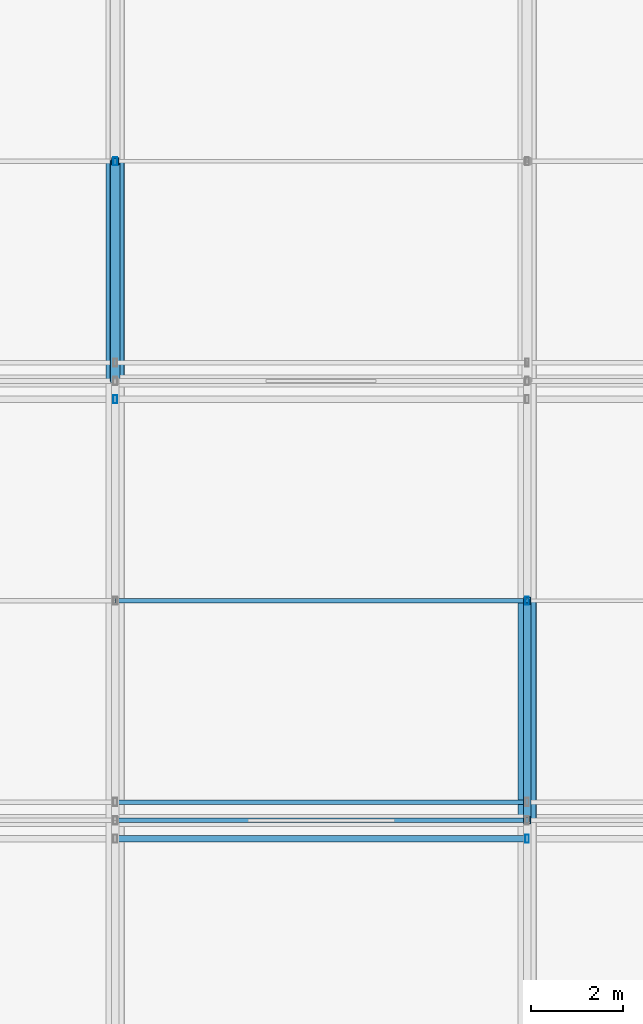
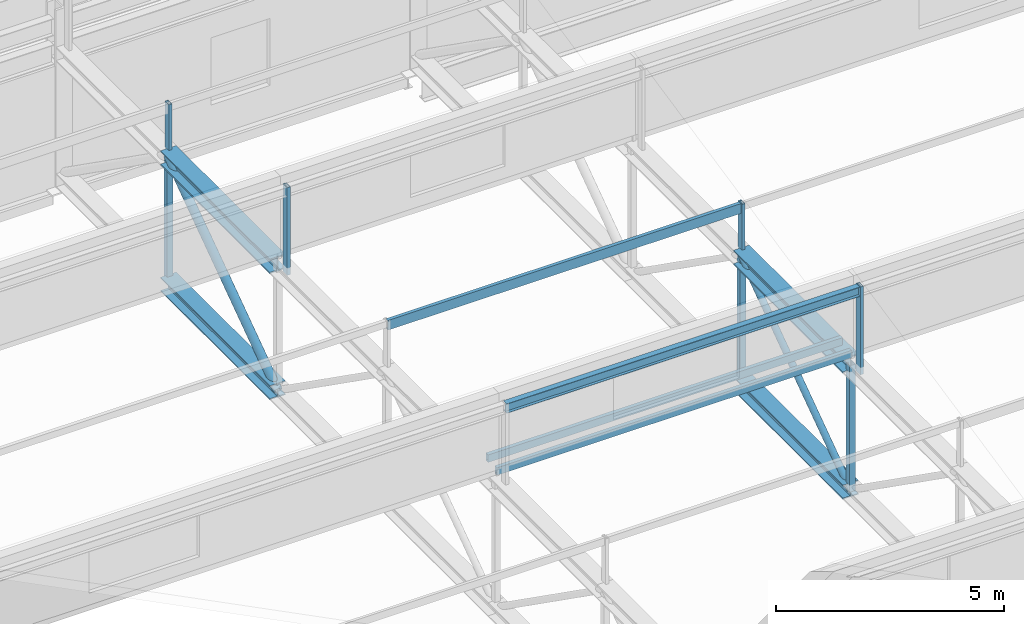
# One storey, part 54 of 136: 13 members, 4 beams.
"""IFC4 building model written with IfcOpenShell, lengths in metres."""

from ifc_helpers import new_model, si_unit, direction, frame, origin, origin_2d, place, context, subcontext, project, spatial, hollow_rectangle, hollow_circle, i_section, u_section, extrude, material, material_profile, profile_set, type_object, element, save


model = new_model("IFC4")

# Units and contexts
model_context = context("Model", 3, precision=1e-05, world=origin(), true_north=direction((0.0, 1.0)))
body_context = subcontext(model_context, "Body", "Model", "MODEL_VIEW")
ifc_project = project(units=[si_unit("LENGTHUNIT", "METRE"), si_unit("AREAUNIT", "SQUARE_METRE"), si_unit("VOLUMEUNIT", "CUBIC_METRE"), si_unit("PLANEANGLEUNIT", "RADIAN"), si_unit("MASSUNIT", "GRAM", prefix="KILO")], contexts=[model_context])

# Site, building, storey
site_placement = place(None, origin())
site = spatial("IfcSite", under=ifc_project, at=site_placement, CompositionType="ELEMENT")
building_placement = place(site_placement, origin())
building = spatial("IfcBuilding", under=site, at=building_placement, Name="Kisiwana Market Hall", CompositionType="ELEMENT")
storey_placement = place(building_placement, frame((0.0, 0.0, 16.800048828125)))
storey = spatial("IfcBuildingStorey", under=building, at=storey_placement, Name="L03", CompositionType="ELEMENT", Elevation=16.800048828125)

# Beams
ifc_material_1 = material(Name="Steel S355", Category="steel")
ifc_material_profile_1 = material_profile(ifc_material_1, i_section(OverallWidth=0.394775390625, OverallDepth=0.381103515625, WebThickness=0.018310546875, FlangeThickness=0.0302734375, at=origin_2d()), Name="UC 356x406x235")
ifc_profile_set_1 = profile_set([ifc_material_profile_1], Name="Steel S355")
beam_type_1 = type_object("IfcBeamType", Name="BM-TRUSS-BOT", PredefinedType="USERDEFINED", material=ifc_profile_set_1)
for number, where, z_axis, x_axis, name in (
    (1, (108.0, 74.39990234375, 0.22998046875), (0.0, 1.0, 0.0), (-1.0, 0.0, 0.0), "TR-05 BC panel 9 B-1266"),
    (2, (117.0, 64.800048828125, 0.22998046875), (0.0, 1.0, 0.0), (-1.0, 0.0, 0.0), "TR-06 BC panel 7 B-1284"),
):
    element("IfcBeam", number, at=place(storey_placement, frame(where, z_axis=z_axis, x_axis=x_axis)), inside=storey, type_object=beam_type_1, Name=name, ObjectType="ROOF TRUSS", PredefinedType="USERDEFINED", context=body_context, shape_type="SweptSolid", body=[
        extrude(i_section(OverallWidth=0.394775390625, OverallDepth=0.381103515625, WebThickness=0.018310546875, FlangeThickness=0.0302734375, at=origin_2d()), origin(), (0.0, 0.0, 1.0), 4.800048828125),
    ])
ifc_material_2 = material(Name="Steel S355", Category="steel")
ifc_material_profile_2 = material_profile(ifc_material_2, i_section(OverallWidth=0.39892578125, OverallDepth=0.3935546875, WebThickness=0.022705078125, FlangeThickness=0.03662109375, at=origin_2d()), Name="UC 356x406x287")
ifc_profile_set_2 = profile_set([ifc_material_profile_2], Name="Steel S355")
beam_type_2 = type_object("IfcBeamType", Name="BM-TRUSS-TOP", PredefinedType="USERDEFINED", material=ifc_profile_set_2)
for number, where, z_axis, x_axis, name in (
    (3, (108.0, 74.39990234375, 3.619873046875), (0.0, 1.0, 0.0), (-1.0, 0.0, 0.0), "TR-05 TC panel 9 B-1276"),
    (4, (117.0, 64.800048828125, 3.619873046875), (0.0, 1.0, 0.0), (-1.0, 0.0, 0.0), "TR-06 TC panel 7 B-1294"),
):
    element("IfcBeam", number, at=place(storey_placement, frame(where, z_axis=z_axis, x_axis=x_axis)), inside=storey, type_object=beam_type_2, Name=name, ObjectType="ROOF TRUSS", PredefinedType="USERDEFINED", context=body_context, shape_type="SweptSolid", body=[
        extrude(i_section(OverallWidth=0.39892578125, OverallDepth=0.3935546875, WebThickness=0.022705078125, FlangeThickness=0.03662109375, at=origin_2d()), origin(), (0.0, 0.0, 1.0), 4.800048828125),
    ])

# Members
ifc_material_3 = material(Name="Steel S355", Category="steel")
ifc_material_profile_3 = material_profile(ifc_material_3, hollow_rectangle(XDim=0.080078125, YDim=0.179931640625, WallThickness=0.00634765625, at=origin_2d()), Name="RHS 180x80x6.3")
ifc_profile_set_3 = profile_set([ifc_material_profile_3], Name="Steel S355")
member_type_1 = type_object("IfcMemberType", Name="MB-CAN-STRUT", PredefinedType="STRUT", material=ifc_profile_set_3)
for number, where, z_axis, x_axis, name in (
    (5, (117.0, 64.39990234375, 3.619873046875), (0.0, 0.0, 1.0), (1.0, 0.0, 0.0), "Sawtooth raker post 259 M-0288"),
    (6, (108.0, 74.0, 3.619873046875), (0.0, 0.0, 1.0), (1.0, 0.0, 0.0), "Sawtooth raker post 301 M-0309"),
):
    element("IfcMember", number, at=place(storey_placement, frame(where, z_axis=z_axis, x_axis=x_axis)), inside=storey, type_object=member_type_1, Name=name, PredefinedType="STRUT", context=body_context, shape_type="SweptSolid", body=[
        extrude(hollow_rectangle(XDim=0.080078125, YDim=0.179931640625, WallThickness=0.00634765625, at=origin_2d()), origin(), (0.0, 0.0, 1.0), 2.355712890625),
    ])
for number, where, z_axis, x_axis, name in (
    (7, (117.0, 69.60009765625, 3.619873046875), (0.0, 0.0, 1.0), (1.0, 0.0, 0.0), "Sawtooth mid-slope raker post 49 M-0080"),
    (8, (108.0, 79.199951171875, 3.619873046875), (0.0, 0.0, 1.0), (1.0, 0.0, 0.0), "Sawtooth mid-slope raker post 63 M-0087"),
):
    element("IfcMember", number, at=place(storey_placement, frame(where, z_axis=z_axis, x_axis=x_axis)), inside=storey, type_object=member_type_1, Name=name, PredefinedType="STRUT", context=body_context, shape_type="SweptSolid", body=[
        extrude(hollow_rectangle(XDim=0.080078125, YDim=0.179931640625, WallThickness=0.00634765625, at=origin_2d()), origin(), (0.0, 0.0, 1.0), 1.42041015625),
    ])
ifc_material_4 = material(Name="Steel S355", Category="steel")
ifc_material_profile_4 = material_profile(ifc_material_4, u_section(Depth=0.260009765625, FlangeWidth=0.090087890625, WebThickness=0.008056640625, FlangeThickness=0.013916015625, at=origin_2d()), Name="PFC 260x90x35")
ifc_profile_set_4 = profile_set([ifc_material_profile_4], Name="Steel S355")
member_type_2 = type_object("IfcMemberType", Name="MB-PURL-PFC260", PredefinedType="PURLIN", material=ifc_profile_set_4)
member_1_placement = place(storey_placement, frame((108.0, 69.60009765625, 4.90625), z_axis=(1.0, 0.0, 0.0), x_axis=(0.0, 1.0, 0.0)))
element("IfcMember", 9, at=member_1_placement, inside=storey, type_object=member_type_2, Name="Sawtooth mid-slope roof purlin 56 M-0116", PredefinedType="PURLIN", context=body_context, shape_type="SweptSolid", body=[
    extrude(u_section(Depth=0.260009765625, FlangeWidth=0.090087890625, WebThickness=0.008056640625, FlangeThickness=0.013916015625, at=origin_2d()), origin(), (0.0, 0.0, 1.0), 9.0),
])
ifc_material_5 = material(Name="Steel S355", Category="steel")
ifc_material_profile_5 = material_profile(ifc_material_5, hollow_rectangle(XDim=0.10009765625, YDim=0.199951171875, WallThickness=0.008056640625, at=origin_2d()), Name="RHS 200x100x8.0")
ifc_profile_set_5 = profile_set([ifc_material_profile_5], Name="Steel S355")
member_type_3 = type_object("IfcMemberType", Name="MB-ROOF-PURLIN1", PredefinedType="PURLIN", material=ifc_profile_set_5)
for number, where, z_axis, x_axis, name in (
    (10, (108.0, 64.800048828125, 3.90087890625), (1.0, 0.0, 0.0), (0.0, 1.0, 0.0), "Sawtooth roof purlin 281 M-0182"),
    (11, (108.0, 65.199951171875, 4.0009765625), (1.0, 0.0, 0.0), (0.0, 1.0, 0.0), "Sawtooth roof purlin 324 M-0201"),
):
    element("IfcMember", number, at=place(storey_placement, frame(where, z_axis=z_axis, x_axis=x_axis)), inside=storey, type_object=member_type_3, Name=name, PredefinedType="PURLIN", context=body_context, shape_type="SweptSolid", body=[
        extrude(hollow_rectangle(XDim=0.10009765625, YDim=0.199951171875, WallThickness=0.008056640625, at=origin_2d()), origin(), (0.0, 0.0, 1.0), 9.0),
    ])
ifc_material_6 = material(Name="Steel S355", Category="steel")
ifc_material_profile_6 = material_profile(ifc_material_6, i_section(OverallWidth=0.146484375, OverallDepth=0.256103515625, WebThickness=0.00634765625, FlangeThickness=0.010986328125, at=origin_2d()), Name="UB 254x146x37")
ifc_profile_set_6 = profile_set([ifc_material_profile_6], Name="Steel S355")
member_type_4 = type_object("IfcMemberType", Name="MB-ROOF-PURLIN2", PredefinedType="PURLIN", material=ifc_profile_set_6)
member_2_placement = place(storey_placement, frame((108.0, 64.39990234375, 5.843505859375), z_axis=(1.0, 0.0, 0.0), x_axis=(0.0, 1.0, 0.0)))
element("IfcMember", 12, at=member_2_placement, inside=storey, type_object=member_type_4, Name="Sawtooth roof purlin 280 M-0181", PredefinedType="PURLIN", context=body_context, shape_type="SweptSolid", body=[
    extrude(i_section(OverallWidth=0.146484375, OverallDepth=0.256103515625, WebThickness=0.00634765625, FlangeThickness=0.010986328125, at=origin_2d()), origin(), (0.0, 0.0, 1.0), 9.0),
])
ifc_material_7 = material(Name="Steel S355", Category="steel")
ifc_material_profile_7 = material_profile(ifc_material_7, hollow_circle(Radius=0.084228515625, WallThickness=0.010009765625, at=origin_2d()), Name="CHS 168.3x10.0")
ifc_profile_set_7 = profile_set([ifc_material_profile_7], Name="Steel S355")
member_type_5 = type_object("IfcMemberType", Name="MB-TR-DIAG168", PredefinedType="BRACE", material=ifc_profile_set_7)
member_3_placement = place(storey_placement, frame((117.0, 64.800048828125, 0.22998046875), z_axis=(0.0, 0.816837735077, 0.576867501732), x_axis=(-1.0, 0.0, 0.0)))
element("IfcMember", 13, at=member_3_placement, inside=storey, type_object=member_type_5, Name="TR-06 diagonal 7 M-0437", PredefinedType="BRACE", context=body_context, shape_type="SweptSolid", body=[
    extrude(hollow_circle(Radius=0.084228515625, WallThickness=0.010009765625, at=origin_2d()), origin(), (0.0, 0.0, 1.0), 5.87646484375),
])
ifc_material_8 = material(Name="Steel S355", Category="steel")
ifc_material_profile_8 = material_profile(ifc_material_8, hollow_circle(Radius=0.109619140625, WallThickness=0.012451171875, at=origin_2d()), Name="CHS 219.1x12.5")
ifc_profile_set_8 = profile_set([ifc_material_profile_8], Name="Steel S355")
member_type_6 = type_object("IfcMemberType", Name="MB-TR-DIAG219", PredefinedType="BRACE", material=ifc_profile_set_8)
member_4_placement = place(storey_placement, frame((108.0, 74.39990234375, 0.22998046875), z_axis=(0.0, 0.816837735077, 0.576867501732), x_axis=(-1.0, 0.0, 0.0)))
element("IfcMember", 14, at=member_4_placement, inside=storey, type_object=member_type_6, Name="TR-05 diagonal 9 M-0420", PredefinedType="BRACE", context=body_context, shape_type="SweptSolid", body=[
    extrude(hollow_circle(Radius=0.109619140625, WallThickness=0.012451171875, at=origin_2d()), origin(), (0.0, 0.0, 1.0), 5.87646484375),
])
ifc_material_9 = material(Name="Steel S355", Category="steel")
ifc_material_profile_9 = material_profile(ifc_material_9, hollow_rectangle(XDim=0.14990234375, YDim=0.14990234375, WallThickness=0.008056640625, at=origin_2d()), Name="SHS 150x150x8.0")
ifc_profile_set_9 = profile_set([ifc_material_profile_9], Name="Steel S355")
member_type_7 = type_object("IfcMemberType", Name="MB-TR-STRUT200", PredefinedType="STRUT", material=ifc_profile_set_9)
for number, where, z_axis, x_axis, name in (
    (15, (108.0, 79.199951171875, 0.22998046875), (0.0, 0.0, 1.0), (1.0, 0.0, 0.0), "TR-05 vertical strut 10 M-0421"),
    (16, (117.0, 64.800048828125, 0.22998046875), (0.0, 0.0, 1.0), (1.0, 0.0, 0.0), "TR-06 vertical strut 7 M-0446"),
    (17, (117.0, 69.60009765625, 0.22998046875), (0.0, 0.0, 1.0), (1.0, 0.0, 0.0), "TR-06 vertical strut 8 M-0447"),
):
    element("IfcMember", number, at=place(storey_placement, frame(where, z_axis=z_axis, x_axis=x_axis)), inside=storey, type_object=member_type_7, Name=name, PredefinedType="STRUT", context=body_context, shape_type="SweptSolid", body=[
        extrude(hollow_rectangle(XDim=0.14990234375, YDim=0.14990234375, WallThickness=0.008056640625, at=origin_2d()), origin(), (0.0, 0.0, 1.0), 3.389892578125),
    ])

save(model, "model.ifc")
